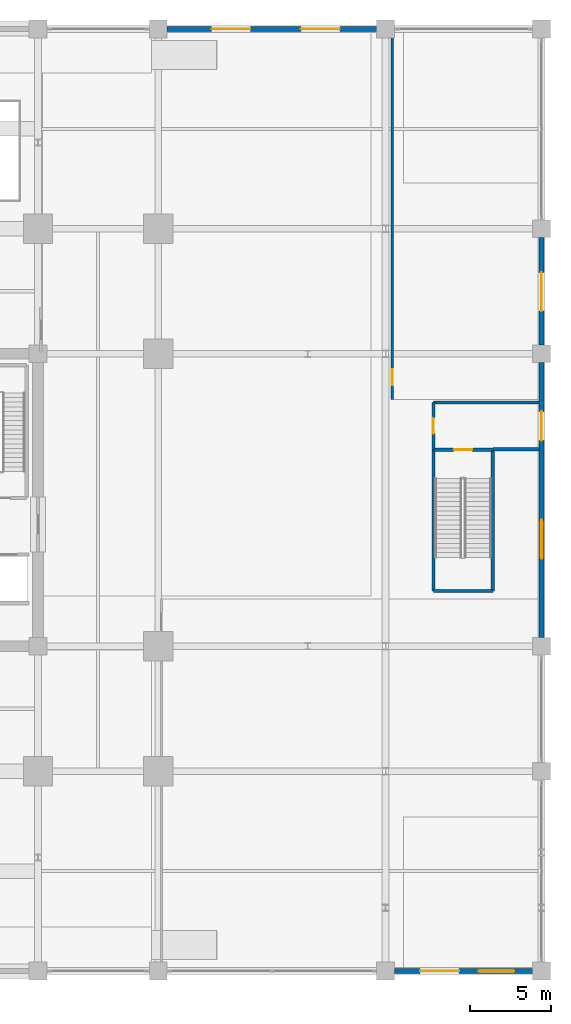
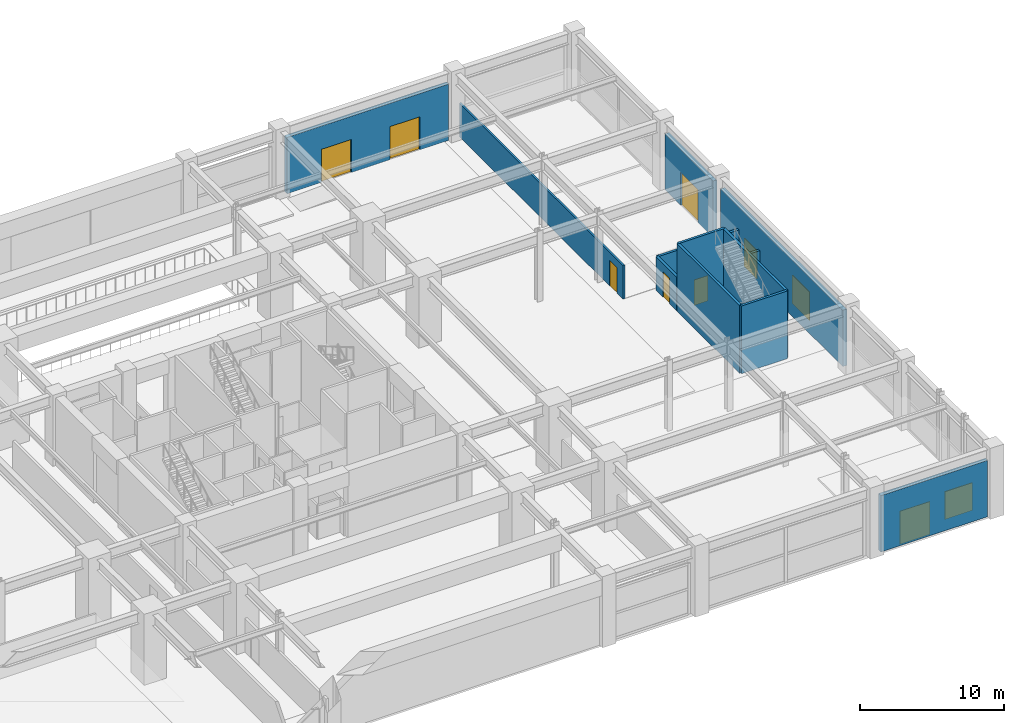
# One storey, part 33 of 41: 12 walls, 8 doors, 2 windows, 10 openings.
"""IFC4 building model written with IfcOpenShell, lengths in metres."""

import ifcopenshell
import ifcopenshell.guid

model = None  # the IFC model being written
_history = None  # IfcOwnerHistory: only IFC2X3 demands one
_inside = {}  # id of a spatial element -> (the spatial element, [elements in it])
_under = {}  # id of a project, library or spatial element -> (it, [spatial elements below it])
_declared = {}  # id of a project -> (the project, [libraries it declares])
_typed = {}  # id of a type object -> (the type object, [elements of that type])
_made_of = {}  # id of a material, layer set ... -> (it, [elements and type objects made of it])


def new_model(schema):
    """Start an empty IFC model of exactly this schema.

    Asked for "IFC4X3", IfcOpenShell would pick the latest addendum, in which some entities
    have other attributes; the version numbers below select the first issue.
    IFC2X3 requires an IfcOwnerHistory on every rooted entity: one is made here for all.
    """
    global model, _history
    if schema == "IFC4X3":
        model = ifcopenshell.file(schema_version=(4, 3, 0, 0))
    else:
        model = ifcopenshell.file(schema=schema)
    _inside.clear()
    _under.clear()
    _declared.clear()
    _typed.clear()
    _made_of.clear()
    _history = None
    if model.schema == "IFC2X3":
        org = make("IfcOrganization", Name="unknown")
        user = make(
            "IfcPersonAndOrganization",
            ThePerson=make("IfcPerson", FamilyName="unknown"),
            TheOrganization=org,
        )
        app = make(
            "IfcApplication",
            ApplicationDeveloper=org,
            Version="unknown",
            ApplicationFullName="unknown",
            ApplicationIdentifier="unknown",
        )
        _history = make(
            "IfcOwnerHistory",
            OwningUser=user,
            OwningApplication=app,
            ChangeAction="ADDED",
            CreationDate=0,
        )
    return model


def make(cls, **values):
    """One entity of the class cls with the attributes given. An attribute that is None is left unset."""
    return model.create_entity(
        cls, **{name: value for name, value in values.items() if value is not None}
    )


def rooted(cls, **values):
    """An entity with a GlobalId (a new one), such as an element, a storey or a relation."""
    return make(cls, GlobalId=ifcopenshell.guid.new(), OwnerHistory=_history, **values)


def si_unit(unit_type, name, prefix=None):
    """IfcSIUnit, for example si_unit("LENGTHUNIT", "METRE", prefix="MILLI")."""
    return make("IfcSIUnit", UnitType=unit_type, Prefix=prefix, Name=name)


def assignment(units):
    """IfcUnitAssignment: the units of a project."""
    return None if units is None else make("IfcUnitAssignment", Units=units)


def point(xyz):
    """IfcCartesianPoint."""
    return None if xyz is None else make("IfcCartesianPoint", Coordinates=xyz)


def direction(xyz):
    """IfcDirection."""
    return None if xyz is None else make("IfcDirection", DirectionRatios=xyz)


def frame(location, z_axis=None, x_axis=None):
    """IfcAxis2Placement3D, a coordinate frame: its origin and axes. An axis left out is left unset."""
    return make(
        "IfcAxis2Placement3D",
        Location=point(location),
        Axis=direction(z_axis),
        RefDirection=direction(x_axis),
    )


def frame_2d(location, x_axis=None):
    """IfcAxis2Placement2D, a coordinate frame in the plane: its origin and x axis."""
    return make(
        "IfcAxis2Placement2D", Location=point(location), RefDirection=direction(x_axis)
    )


def origin():
    """The frame at (0, 0, 0) with its axes left unset."""
    return frame((0.0, 0.0, 0.0))


def place(relative_to, where):
    """IfcLocalPlacement: puts the frame where relative to a parent placement (None: the world)."""
    return make(
        "IfcLocalPlacement", PlacementRelTo=relative_to, RelativePlacement=where
    )


def context(
    kind, dimensions, precision=None, world=None, true_north=None, identifier=None
):
    """IfcGeometricRepresentationContext, for example the 3D "Model" context."""
    return make(
        "IfcGeometricRepresentationContext",
        ContextIdentifier=identifier,
        ContextType=kind,
        CoordinateSpaceDimension=dimensions,
        Precision=precision,
        WorldCoordinateSystem=world,
        TrueNorth=true_north,
    )


def subcontext(parent, identifier, kind, view, scale=None):
    """IfcGeometricRepresentationSubContext, for example "Body" below "Model"."""
    return make(
        "IfcGeometricRepresentationSubContext",
        ContextIdentifier=identifier,
        ContextType=kind,
        ParentContext=parent,
        TargetScale=scale,
        TargetView=view,
    )


def project(units=None, contexts=None):
    """IfcProject with its units and contexts."""
    return rooted(
        "IfcProject",
        Name="project",
        RepresentationContexts=contexts,
        UnitsInContext=assignment(units),
    )


def spatial(cls, under=None, at=None, **own):
    """A site, building, storey or space (cls), placed at a placement, below another one or the project."""
    s = rooted(cls, ObjectPlacement=at, **own)
    if under is not None:
        _under.setdefault(under.id(), (under, []))[1].append(s)
    return s


def profile(cls, at=None, kind="AREA", **sizes):
    """A parametric profile (cls). Its sizes go by their IFC names, for example OverallWidth=200.0."""
    return make(cls, ProfileType=kind, Position=at, **sizes)


def rectangle(**sizes):
    """IfcRectangleProfileDef."""
    return profile("IfcRectangleProfileDef", **sizes)


def extrude(swept, where, along, depth):
    """IfcExtrudedAreaSolid: the profile swept, set in the frame where, extruded along a direction by depth."""
    return make(
        "IfcExtrudedAreaSolid",
        SweptArea=swept,
        Position=where,
        ExtrudedDirection=direction(along),
        Depth=depth,
    )


def shape(context_of_items, identifier, shape_type, items):
    """IfcShapeRepresentation: the items that make up one representation, for example the "Body"."""
    return make(
        "IfcShapeRepresentation",
        ContextOfItems=context_of_items,
        RepresentationIdentifier=identifier,
        RepresentationType=shape_type,
        Items=items,
    )


def material(Name=None, Category=None):
    """IfcMaterial."""
    return make("IfcMaterial", Name=Name, Category=Category)


def layer(
    of_material, thickness, ventilated=None, Name=None, Category=None, Priority=None
):
    """IfcMaterialLayer: one layer of a wall or slab, of a material (None: an air gap)."""
    return make(
        "IfcMaterialLayer",
        Material=of_material,
        LayerThickness=thickness,
        IsVentilated=ventilated,
        Name=Name,
        Category=Category,
        Priority=Priority,
    )


def layer_set(layers, Name=None):
    """IfcMaterialLayerSet."""
    return make("IfcMaterialLayerSet", MaterialLayers=layers, LayerSetName=Name)


def made_of(thing, what):
    """Note that an element or type object is made of a material, layer set ...; save() writes the relation."""
    if what is not None:
        _made_of.setdefault(what.id(), (what, []))[1].append(thing)
    return thing


def type_object(cls, material=None, **own):
    """A type object (cls), such as IfcWallType, which elements share."""
    return made_of(rooted(cls, **own), material)


def element(
    cls,
    number,
    at=None,
    inside=None,
    cuts=None,
    type_object=None,
    material=None,
    context=None,
    identifier="Body",
    shape_type=None,
    held_by="IfcProductDefinitionShape",
    body=None,
    shapes=None,
    **own,
):
    """One element of the class cls, such as IfcWall. Its Tag is "e" and its number.

    at: its placement. inside: the storey or other place that contains it. cuts: it is an
    opening in that element (IfcRelVoidsElement). A single representation is given by context,
    identifier, shape_type and body (its items); several are given by shapes. held_by: the class
    of the entity that holds the representations. save() writes the other relations.
    """
    e = rooted(cls, Tag="e%d" % number, ObjectPlacement=at, **own)
    if body is not None:
        shapes = [shape(context, identifier, shape_type, body)]
    if shapes is not None:
        e.Representation = make(held_by, Representations=shapes)
    if inside is not None:
        _inside.setdefault(inside.id(), (inside, []))[1].append(e)
    if cuts is not None:
        rooted(
            "IfcRelVoidsElement", RelatingBuildingElement=cuts, RelatedOpeningElement=e
        )
    if type_object is not None:
        _typed.setdefault(type_object.id(), (type_object, []))[1].append(e)
    return made_of(e, material)


def fill(opening, filler):
    """IfcRelFillsElement: the door or window that sits in an opening."""
    return rooted(
        "IfcRelFillsElement",
        RelatingOpeningElement=opening,
        RelatedBuildingElement=filler,
    )


def aggregate(whole, parts):
    """IfcRelAggregates: a whole, such as a stair, and the parts it consists of."""
    return rooted("IfcRelAggregates", RelatingObject=whole, RelatedObjects=parts)


def save(model, path):
    """Write the relations noted so far, then the file.

    IfcRelAggregates (storeys below a building ...), IfcRelContainedInSpatialStructure (elements
    in a storey), IfcRelDefinesByType, IfcRelAssociatesMaterial and IfcRelDeclares: one each for
    every whole, place, type object, material and project.
    """
    for whole, parts in _under.values():
        aggregate(whole, parts)
    for where, things in _inside.values():
        rooted(
            "IfcRelContainedInSpatialStructure",
            RelatedElements=things,
            RelatingStructure=where,
        )
    for kind, things in _typed.values():
        rooted("IfcRelDefinesByType", RelatedObjects=things, RelatingType=kind)
    for what, things in _made_of.values():
        rooted("IfcRelAssociatesMaterial", RelatedObjects=things, RelatingMaterial=what)
    for by, libraries in _declared.values():
        rooted("IfcRelDeclares", RelatingContext=by, RelatedDefinitions=libraries)
    model.write(path)


model = new_model("IFC4")

# Units and contexts
model_context = context("Model", 3, precision=1e-05, world=origin(), true_north=direction((0.0, 1.0)))
body_context = subcontext(model_context, "Body", "Model", "MODEL_VIEW")
ifc_project = project(units=[si_unit("LENGTHUNIT", "METRE"), si_unit("AREAUNIT", "SQUARE_METRE"), si_unit("VOLUMEUNIT", "CUBIC_METRE"), si_unit("PLANEANGLEUNIT", "RADIAN"), si_unit("MASSUNIT", "GRAM", prefix="KILO")], contexts=[model_context])

# Site, building, storey
site_placement = place(None, origin())
site = spatial("IfcSite", under=ifc_project, at=site_placement, CompositionType="ELEMENT")
building_placement = place(site_placement, origin())
building = spatial("IfcBuilding", under=site, at=building_placement, Name="Kovane Verandah Tower", CompositionType="ELEMENT")
storey_placement = place(building_placement, origin())
storey = spatial("IfcBuildingStorey", under=building, at=storey_placement, Name="L00", CompositionType="ELEMENT", Elevation=0.0)

# Wall, opening, door
ifc_material_1 = material(Name="Fire-Rated Gypsum Stud Partition", Category="gypsum")
ifc_layer_1 = layer(ifc_material_1, 0.14990234375)
ifc_layer_set_1 = layer_set([ifc_layer_1], Name="Fire-Rated Gypsum Stud Partition")
wall_type_1 = type_object("IfcWallType", Name="WL-COR-150", PredefinedType="PARTITIONING", material=ifc_layer_set_1)
wall_1_placement = place(storey_placement, frame((72.800048828125, 33.699951171875, 0.0), z_axis=(0.0, 0.0, 1.0), x_axis=(0.0, 1.0, 0.0)))
wall_1 = element("IfcWall", 1, at=wall_1_placement, inside=storey, type_object=wall_type_1, Name="L00 North-East Flagship Retail Hall Corridor Partition", PredefinedType="PARTITIONING", context=body_context, shape_type="SweptSolid", body=[
    extrude(rectangle(XDim=22.650146484375, YDim=0.14990234375, at=frame_2d((11.3251953125, 0.0))), origin(), (0.0, 0.0, 1.0), 2.85009765625),
])
opening_1_placement = place(wall_1_placement, frame((0.85009765625, 0.0, 0.0)))
opening_1 = element("IfcOpeningElement", 2, at=opening_1_placement, cuts=wall_1, Name="Opening DR-L00-032", PredefinedType="OPENING", context=body_context, shape_type="SweptSolid", body=[
    extrude(rectangle(XDim=1.0, YDim=2.14990234375, at=frame_2d((0.5, 1.074951171875))), frame((0.0, 0.074951171875, 0.0), z_axis=(0.0, -1.0, 0.0), x_axis=(1.0, 0.0, 0.0)), (0.0, 0.0, 1.0), 0.14990234375),
])
ifc_material_2 = material(Name="FSC Spotted-Gum Timber Fire-Rated Office Door", Category="wood")
door_type_1 = type_object("IfcDoorType", Name="DR-OFF-1000", OperationType="SINGLE_SWING_LEFT", PredefinedType="DOOR", material=ifc_material_2)
door_1_placement = place(opening_1_placement, origin())
door_1 = element("IfcDoor", 3, at=door_1_placement, inside=storey, type_object=door_type_1, Name="L00 North-East Flagship Retail Hall Entrance Door", OperationType="SINGLE_SWING_LEFT", OverallHeight=2.14990234375, OverallWidth=1.0, PredefinedType="DOOR", context=body_context, shape_type="SweptSolid", body=[
    extrude(rectangle(XDim=1.0, YDim=2.14990234375, at=frame_2d((0.5, 1.074951171875))), frame((0.0, 0.02490234375, 0.0), z_axis=(0.0, -1.0, 0.0), x_axis=(1.0, 0.0, 0.0)), (0.0, 0.0, 1.0), 0.050048828125),
])
fill(opening_1, door_1)

# Walls
ifc_material_3 = material(Name="Concrete C45/55 Fire Wall", Category="concrete")
ifc_layer_2 = layer(ifc_material_3, 0.199951171875)
ifc_layer_set_2 = layer_set([ifc_layer_2], Name="Concrete C45/55 Fire Wall")
wall_type_2 = type_object("IfcWallType", Name="WL-FFL-200", PredefinedType="PARTITIONING", material=ifc_layer_set_2)
wall_2_placement = place(storey_placement, frame((75.340087890625, 33.5, 0.0), z_axis=(0.0, 0.0, 1.0), x_axis=(1.0, 0.0, 0.0)))
element("IfcWall", 4, at=wall_2_placement, inside=storey, type_object=wall_type_2, Name="L00 Protected East Stair Exit Passageway North Fire Wall", PredefinedType="PARTITIONING", context=body_context, shape_type="SweptSolid", body=[
    extrude(rectangle(XDim=6.510009765625, YDim=0.199951171875, at=frame_2d((3.2548828125, 0.0))), origin(), (0.0, 0.0, 1.0), 2.85009765625),
])
wall_3_placement = place(storey_placement, frame((79.0, 30.6201171875, 0.0), z_axis=(0.0, 0.0, 1.0), x_axis=(1.0, 0.0, 0.0)))
element("IfcWall", 5, at=wall_3_placement, inside=storey, type_object=wall_type_2, Name="L00 Protected East Stair Exit Passageway South Fire Wall", PredefinedType="PARTITIONING", context=body_context, shape_type="SweptSolid", body=[
    extrude(rectangle(XDim=2.85009765625, YDim=0.199951171875, at=frame_2d((1.425048828125, 0.0))), origin(), (0.0, 0.0, 1.0), 2.85009765625),
])

# Wall, opening, door
wall_4_placement = place(storey_placement, frame((75.340087890625, 30.6201171875, 0.0), z_axis=(0.0, 0.0, 1.0), x_axis=(0.0, 1.0, 0.0)))
wall_4 = element("IfcWall", 6, at=wall_4_placement, inside=storey, type_object=wall_type_2, Name="L00 Protected East Stair Exit Passageway West Fire Wall", PredefinedType="PARTITIONING", context=body_context, shape_type="SweptSolid", body=[
    extrude(rectangle(XDim=2.8798828125, YDim=0.199951171875, at=frame_2d((1.43994140625, 0.0))), origin(), (0.0, 0.0, 1.0), 2.85009765625),
])
opening_2_placement = place(wall_4_placement, frame((0.965087890625, 0.0, 0.0)))
opening_2 = element("IfcOpeningElement", 7, at=opening_2_placement, cuts=wall_4, Name="Opening DR-L00-006", PredefinedType="OPENING", context=body_context, shape_type="SweptSolid", body=[
    extrude(rectangle(XDim=0.949951171875, YDim=2.14990234375, at=frame_2d((0.47509765625, 1.074951171875))), frame((0.0, 0.10009765625, 0.0), z_axis=(0.0, -1.0, 0.0), x_axis=(1.0, 0.0, 0.0)), (0.0, 0.0, 1.0), 0.199951171875),
])
ifc_material_4 = material(Name="Fire-Rated Steel Refuge and Lobby Door", Category="steel")
door_type_2 = type_object("IfcDoorType", Name="DR-FIRE-950", OperationType="SINGLE_SWING_LEFT", PredefinedType="DOOR", material=ifc_material_4)
door_2_placement = place(opening_2_placement, origin())
door_2 = element("IfcDoor", 8, at=door_2_placement, inside=storey, type_object=door_type_2, Name="L00 East Stair Passageway Inner Fire Door", OperationType="SINGLE_SWING_RIGHT", OverallHeight=2.14990234375, OverallWidth=0.949951171875, PredefinedType="DOOR", context=body_context, shape_type="SweptSolid", body=[
    extrude(rectangle(XDim=0.949951171875, YDim=2.14990234375, at=frame_2d((0.47509765625, 1.074951171875))), frame((0.0, 0.02490234375, 0.0), z_axis=(0.0, -1.0, 0.0), x_axis=(1.0, 0.0, 0.0)), (0.0, 0.0, 1.0), 0.050048828125),
])
fill(opening_2, door_2)

# Wall, openings, door, window
ifc_material_5 = material(Name="Concrete C45/55 Podium Facade Wall", Category="concrete")
ifc_layer_3 = layer(ifc_material_5, 0.320068359375)
ifc_layer_set_3 = layer_set([ifc_layer_3], Name="Concrete C45/55 Podium Facade Wall")
wall_type_3 = type_object("IfcWallType", Name="WL-POD-320", PredefinedType="SOLIDWALL", material=ifc_layer_set_3)
wall_5_placement = place(storey_placement, frame((72.93994140625, -1.5, 0.0), z_axis=(0.0, 0.0, 1.0), x_axis=(1.0, 0.0, 0.0)))
wall_5 = element("IfcWall", 9, at=wall_5_placement, inside=storey, type_object=wall_type_3, Name="L00 E Retail Entrance Wall", PredefinedType="SOLIDWALL", context=body_context, shape_type="SweptSolid", body=[
    extrude(rectangle(XDim=8.52001953125, YDim=0.320068359375, at=frame_2d((4.260009765625, 0.0))), origin(), (0.0, 0.0, 1.0), 4.759033203125),
])
opening_3_placement = place(wall_5_placement, frame((1.580078125, 0.0, 0.0)))
opening_3 = element("IfcOpeningElement", 10, at=opening_3_placement, cuts=wall_5, Name="Opening DR-L00-019", PredefinedType="OPENING", context=body_context, shape_type="SweptSolid", body=[
    extrude(rectangle(XDim=2.39990234375, YDim=2.800048828125, at=frame_2d((1.199951171875, 1.39990234375))), frame((0.0, 0.16015625, 0.0), z_axis=(0.0, -1.0, 0.0), x_axis=(1.0, 0.0, 0.0)), (0.0, 0.0, 1.0), 0.320068359375),
])
opening_4_placement = place(wall_5_placement, frame((5.179931640625, 0.0, 0.85009765625)))
opening_4 = element("IfcOpeningElement", 11, at=opening_4_placement, cuts=wall_5, Name="Opening W-05", PredefinedType="OPENING", context=body_context, shape_type="SweptSolid", body=[
    extrude(rectangle(XDim=2.199951171875, YDim=2.35009765625, at=frame_2d((1.10009765625, 1.175048828125))), frame((0.0, 0.16015625, 0.0), z_axis=(0.0, -1.0, 0.0), x_axis=(1.0, 0.0, 0.0)), (0.0, 0.0, 1.0), 0.320068359375),
])
ifc_material_6 = material(Name="Anodised Aluminium Framed Glazed Double Entrance Door", Category="aluminium")
door_type_3 = type_object("IfcDoorType", Name="DR-ENT-2400x2800", OperationType="DOUBLE_DOOR_SINGLE_SWING", PredefinedType="DOOR", material=ifc_material_6)
door_3_placement = place(opening_3_placement, origin())
door_3 = element("IfcDoor", 12, at=door_3_placement, inside=storey, type_object=door_type_3, Name="L00 E Retail Street Entrance", OperationType="DOUBLE_DOOR_SINGLE_SWING", OverallHeight=2.800048828125, OverallWidth=2.39990234375, PredefinedType="DOOR", context=body_context, shape_type="SweptSolid", body=[
    extrude(rectangle(XDim=2.39990234375, YDim=2.800048828125, at=frame_2d((1.199951171875, 1.39990234375))), frame((0.0, 0.02490234375, 0.0), z_axis=(0.0, -1.0, 0.0), x_axis=(1.0, 0.0, 0.0)), (0.0, 0.0, 1.0), 0.050048828125),
])
fill(opening_3, door_3)
ifc_material_7 = material(Name="Clear Low-E Laminated Double Glazing in Anodised Frame", Category="glass")
window_type_1 = type_object("IfcWindowType", Name="WN-FIXED-2200x2350", PartitioningType="SINGLE_PANEL", PredefinedType="WINDOW", material=ifc_material_7)
window_1_placement = place(opening_4_placement, origin())
window_1 = element("IfcWindow", 13, at=window_1_placement, inside=storey, type_object=window_type_1, Name="L00 E Retail Display Window", OverallHeight=2.35009765625, OverallWidth=2.199951171875, PartitioningType="SINGLE_PANEL", PredefinedType="WINDOW", context=body_context, shape_type="SweptSolid", body=[
    extrude(rectangle(XDim=2.199951171875, YDim=2.35009765625, at=frame_2d((1.10009765625, 1.175048828125))), frame((0.0, 0.030029296875, 0.0), z_axis=(0.0, -1.0, 0.0), x_axis=(1.0, 0.0, 0.0)), (0.0, 0.0, 1.0), 0.06005859375),
])
fill(opening_4, window_1)

# Wall, openings, doors
wall_6_placement = place(storey_placement, frame((71.860107421875, 56.5, 0.0), z_axis=(0.0, 0.0, 1.0), x_axis=(-1.0, 0.0, 0.0)))
wall_6 = element("IfcWall", 14, at=wall_6_placement, inside=storey, type_object=wall_type_3, Name="North Harbourfront Entrance Wall", PredefinedType="SOLIDWALL", context=body_context, shape_type="SweptSolid", body=[
    extrude(rectangle(XDim=12.920166015625, YDim=0.320068359375, at=frame_2d((6.4599609375, 0.0))), origin(), (0.0, 0.0, 1.0), 4.759033203125),
])
opening_5_placement = place(wall_6_placement, frame((2.280029296875, 0.0, 0.0)))
opening_5 = element("IfcOpeningElement", 15, at=opening_5_placement, cuts=wall_6, Name="Opening DR-L00-002", PredefinedType="OPENING", context=body_context, shape_type="SweptSolid", body=[
    extrude(rectangle(XDim=2.39990234375, YDim=2.800048828125, at=frame_2d((1.199951171875, 1.39990234375))), frame((0.0, 0.16015625, 0.0), z_axis=(0.0, -1.0, 0.0), x_axis=(1.0, 0.0, 0.0)), (0.0, 0.0, 1.0), 0.320068359375),
])
opening_6_placement = place(wall_6_placement, frame((7.780029296875, 0.0, 0.0)))
opening_6 = element("IfcOpeningElement", 16, at=opening_6_placement, cuts=wall_6, Name="Opening DR-L00-003", PredefinedType="OPENING", context=body_context, shape_type="SweptSolid", body=[
    extrude(rectangle(XDim=2.39990234375, YDim=2.800048828125, at=frame_2d((1.199951171875, 1.39990234375))), frame((0.0, 0.16015625, 0.0), z_axis=(0.0, -1.0, 0.0), x_axis=(1.0, 0.0, 0.0)), (0.0, 0.0, 1.0), 0.320068359375),
])
door_4_placement = place(opening_5_placement, origin())
door_4 = element("IfcDoor", 17, at=door_4_placement, inside=storey, type_object=door_type_3, Name="North Harbourfront Concourse Entrance 1", OperationType="DOUBLE_DOOR_SINGLE_SWING", OverallHeight=2.800048828125, OverallWidth=2.39990234375, PredefinedType="DOOR", context=body_context, shape_type="SweptSolid", body=[
    extrude(rectangle(XDim=2.39990234375, YDim=2.800048828125, at=frame_2d((1.199951171875, 1.39990234375))), frame((0.0, 0.02490234375, 0.0), z_axis=(0.0, -1.0, 0.0), x_axis=(1.0, 0.0, 0.0)), (0.0, 0.0, 1.0), 0.050048828125),
])
fill(opening_5, door_4)
door_5_placement = place(opening_6_placement, origin())
door_5 = element("IfcDoor", 18, at=door_5_placement, inside=storey, type_object=door_type_3, Name="North Harbourfront Concourse Entrance 2", OperationType="DOUBLE_DOOR_SINGLE_SWING", OverallHeight=2.800048828125, OverallWidth=2.39990234375, PredefinedType="DOOR", context=body_context, shape_type="SweptSolid", body=[
    extrude(rectangle(XDim=2.39990234375, YDim=2.800048828125, at=frame_2d((1.199951171875, 1.39990234375))), frame((0.0, 0.02490234375, 0.0), z_axis=(0.0, -1.0, 0.0), x_axis=(1.0, 0.0, 0.0)), (0.0, 0.0, 1.0), 0.050048828125),
])
fill(opening_6, door_5)

# Wall, openings, door, window
wall_7_placement = place(storey_placement, frame((82.0, 35.9599609375, 0.0), z_axis=(0.0, 0.0, 1.0), x_axis=(0.0, -1.0, 0.0)))
wall_7 = element("IfcWall", 19, at=wall_7_placement, inside=storey, type_object=wall_type_3, Name="Ground East Protected Stair Exit Wall", PredefinedType="SOLIDWALL", context=body_context, shape_type="SweptSolid", body=[
    extrude(rectangle(XDim=16.919921875, YDim=0.320068359375, at=frame_2d((8.4599609375, 0.0))), origin(), (0.0, 0.0, 1.0), 4.759033203125),
])
opening_7_placement = place(wall_7_placement, frame((3.010009765625, 0.0, 0.0)))
opening_7 = element("IfcOpeningElement", 20, at=opening_7_placement, cuts=wall_7, Name="Opening DR-L00-007", PredefinedType="OPENING", context=body_context, shape_type="SweptSolid", body=[
    extrude(rectangle(XDim=1.800048828125, YDim=2.39990234375, at=frame_2d((0.89990234375, 1.199951171875))), frame((0.0, 0.16015625, 0.0), z_axis=(0.0, -1.0, 0.0), x_axis=(1.0, 0.0, 0.0)), (0.0, 0.0, 1.0), 0.320068359375),
])
opening_8_placement = place(wall_7_placement, frame((9.679931640625, 0.0, 0.89990234375)))
opening_8 = element("IfcOpeningElement", 21, at=opening_8_placement, cuts=wall_7, Name="Opening W-06", PredefinedType="OPENING", context=body_context, shape_type="SweptSolid", body=[
    extrude(rectangle(XDim=2.39990234375, YDim=2.39990234375, at=frame_2d((1.199951171875, 1.199951171875))), frame((0.0, 0.16015625, 0.0), z_axis=(0.0, -1.0, 0.0), x_axis=(1.0, 0.0, 0.0)), (0.0, 0.0, 1.0), 0.320068359375),
])
ifc_material_8 = material(Name="Cyclone-Rated Glazed Verandah Double Door", Category="aluminium")
door_type_4 = type_object("IfcDoorType", Name="DR-TERR-1800x2400", OperationType="DOUBLE_DOOR_SINGLE_SWING", PredefinedType="DOOR", material=ifc_material_8)
door_6_placement = place(opening_7_placement, origin())
door_6 = element("IfcDoor", 22, at=door_6_placement, inside=storey, type_object=door_type_4, Name="L00 ST-05 Protected East Final Exit Door", OperationType="DOUBLE_DOOR_SINGLE_SWING", OverallHeight=2.39990234375, OverallWidth=1.800048828125, PredefinedType="DOOR", context=body_context, shape_type="SweptSolid", body=[
    extrude(rectangle(XDim=1.800048828125, YDim=2.39990234375, at=frame_2d((0.89990234375, 1.199951171875))), frame((0.0, 0.02490234375, 0.0), z_axis=(0.0, -1.0, 0.0), x_axis=(1.0, 0.0, 0.0)), (0.0, 0.0, 1.0), 0.050048828125),
])
fill(opening_7, door_6)
window_type_2 = type_object("IfcWindowType", Name="WN-FIXED-2400x2400", PartitioningType="SINGLE_PANEL", PredefinedType="WINDOW", material=ifc_material_7)
window_2_placement = place(opening_8_placement, origin())
window_2 = element("IfcWindow", 23, at=window_2_placement, inside=storey, type_object=window_type_2, Name="Ground East Concourse Window", OverallHeight=2.39990234375, OverallWidth=2.39990234375, PartitioningType="SINGLE_PANEL", PredefinedType="WINDOW", context=body_context, shape_type="SweptSolid", body=[
    extrude(rectangle(XDim=2.39990234375, YDim=2.39990234375, at=frame_2d((1.199951171875, 1.199951171875))), frame((0.0, 0.030029296875, 0.0), z_axis=(0.0, -1.0, 0.0), x_axis=(1.0, 0.0, 0.0)), (0.0, 0.0, 1.0), 0.06005859375),
])
fill(opening_8, window_2)

# Wall, opening, door
wall_8_placement = place(storey_placement, frame((82.0, 37.0400390625, 0.0), z_axis=(0.0, 0.0, 1.0), x_axis=(0.0, 1.0, 0.0)))
wall_8 = element("IfcWall", 24, at=wall_8_placement, inside=storey, type_object=wall_type_3, Name="North-East Retail Entrance Facade Wall", PredefinedType="SOLIDWALL", context=body_context, shape_type="SweptSolid", body=[
    extrude(rectangle(XDim=6.619873046875, YDim=0.320068359375, at=frame_2d((3.31005859375, 0.0))), origin(), (0.0, 0.0, 1.0), 4.759033203125),
])
opening_9_placement = place(wall_8_placement, frame((2.080078125, 0.0, 0.0)))
opening_9 = element("IfcOpeningElement", 25, at=opening_9_placement, cuts=wall_8, Name="Opening DR-L00-021", PredefinedType="OPENING", context=body_context, shape_type="SweptSolid", body=[
    extrude(rectangle(XDim=2.39990234375, YDim=2.800048828125, at=frame_2d((1.199951171875, 1.39990234375))), frame((0.0, 0.16015625, 0.0), z_axis=(0.0, -1.0, 0.0), x_axis=(1.0, 0.0, 0.0)), (0.0, 0.0, 1.0), 0.320068359375),
])
door_7_placement = place(opening_9_placement, origin())
door_7 = element("IfcDoor", 26, at=door_7_placement, inside=storey, type_object=door_type_3, Name="North-East Flagship Retail Street Entrance", OperationType="DOUBLE_DOOR_SINGLE_SWING", OverallHeight=2.800048828125, OverallWidth=2.39990234375, PredefinedType="DOOR", context=body_context, shape_type="SweptSolid", body=[
    extrude(rectangle(XDim=2.39990234375, YDim=2.800048828125, at=frame_2d((1.199951171875, 1.39990234375))), frame((0.0, 0.02490234375, 0.0), z_axis=(0.0, -1.0, 0.0), x_axis=(1.0, 0.0, 0.0)), (0.0, 0.0, 1.0), 0.050048828125),
])
fill(opening_9, door_7)

# Walls
ifc_material_9 = material(Name="Concrete C45/55", Category="concrete")
ifc_layer_4 = layer(ifc_material_9, 0.199951171875)
ifc_layer_set_4 = layer_set([ifc_layer_4], Name="Concrete C45/55")
wall_type_4 = type_object("IfcWallType", Name="WL-SHAFT-200", PredefinedType="SOLIDWALL", material=ifc_layer_set_4)
for number, where, z_axis, x_axis, name in (
    (27, (75.340087890625, 21.89990234375, 0.0), (0.0, 0.0, 1.0), (0.0, 1.0, 0.0), "W-L00-ST-05-W"),
    (28, (79.0, 21.89990234375, 0.0), (0.0, 0.0, 1.0), (0.0, 1.0, 0.0), "W-L00-ST-05-E"),
):
    element("IfcWall", number, at=place(storey_placement, frame(where, z_axis=z_axis, x_axis=x_axis)), inside=storey, type_object=wall_type_4, Name=name, PredefinedType="SOLIDWALL", context=body_context, shape_type="SweptSolid", body=[
        extrude(rectangle(XDim=8.7001953125, YDim=0.199951171875, at=frame_2d((4.35009765625, 0.0))), origin(), (0.0, 0.0, 1.0), 5.719970703125),
    ])

# Wall, opening, door
wall_9_placement = place(storey_placement, frame((75.340087890625, 30.60009765625, 0.0), z_axis=(0.0, 0.0, 1.0), x_axis=(1.0, 0.0, 0.0)))
wall_9 = element("IfcWall", 29, at=wall_9_placement, inside=storey, type_object=wall_type_4, Name="W-L00-ST-05-N", PredefinedType="SOLIDWALL", context=body_context, shape_type="SweptSolid", body=[
    extrude(rectangle(XDim=3.659912109375, YDim=0.199951171875, at=frame_2d((1.830078125, 0.0))), origin(), (0.0, 0.0, 1.0), 5.719970703125),
])
opening_10_placement = place(wall_9_placement, frame((1.280029296875, 0.0, 0.0)))
opening_10 = element("IfcOpeningElement", 30, at=opening_10_placement, cuts=wall_9, Name="Opening DR-L00-026", PredefinedType="OPENING", context=body_context, shape_type="SweptSolid", body=[
    extrude(rectangle(XDim=1.10009765625, YDim=2.14990234375, at=frame_2d((0.550048828125, 1.074951171875))), frame((0.0, 0.10009765625, 0.0), z_axis=(0.0, -1.0, 0.0), x_axis=(1.0, 0.0, 0.0)), (0.0, 0.0, 1.0), 0.199951171875),
])
ifc_material_10 = material(Name="Fire-Rated Steel Exit Door", Category="steel")
door_type_5 = type_object("IfcDoorType", Name="DR-STAIR-1100", OperationType="SINGLE_SWING_LEFT", PredefinedType="DOOR", material=ifc_material_10)
door_8_placement = place(opening_10_placement, origin())
door_8 = element("IfcDoor", 31, at=door_8_placement, inside=storey, type_object=door_type_5, Name="L00 ST-05 Fire Exit Stair Door", OperationType="SINGLE_SWING_LEFT", OverallHeight=2.14990234375, OverallWidth=1.10009765625, PredefinedType="DOOR", context=body_context, shape_type="SweptSolid", body=[
    extrude(rectangle(XDim=1.10009765625, YDim=2.14990234375, at=frame_2d((0.550048828125, 1.074951171875))), frame((0.0, 0.02490234375, 0.0), z_axis=(0.0, -1.0, 0.0), x_axis=(1.0, 0.0, 0.0)), (0.0, 0.0, 1.0), 0.050048828125),
])
fill(opening_10, door_8)

# Wall
wall_10_placement = place(storey_placement, frame((75.340087890625, 21.89990234375, 0.0), z_axis=(0.0, 0.0, 1.0), x_axis=(1.0, 0.0, 0.0)))
element("IfcWall", 32, at=wall_10_placement, inside=storey, type_object=wall_type_4, Name="W-L00-ST-05-S", PredefinedType="SOLIDWALL", context=body_context, shape_type="SweptSolid", body=[
    extrude(rectangle(XDim=3.659912109375, YDim=0.199951171875, at=frame_2d((1.830078125, 0.0))), origin(), (0.0, 0.0, 1.0), 5.719970703125),
])

save(model, "model.ifc")
